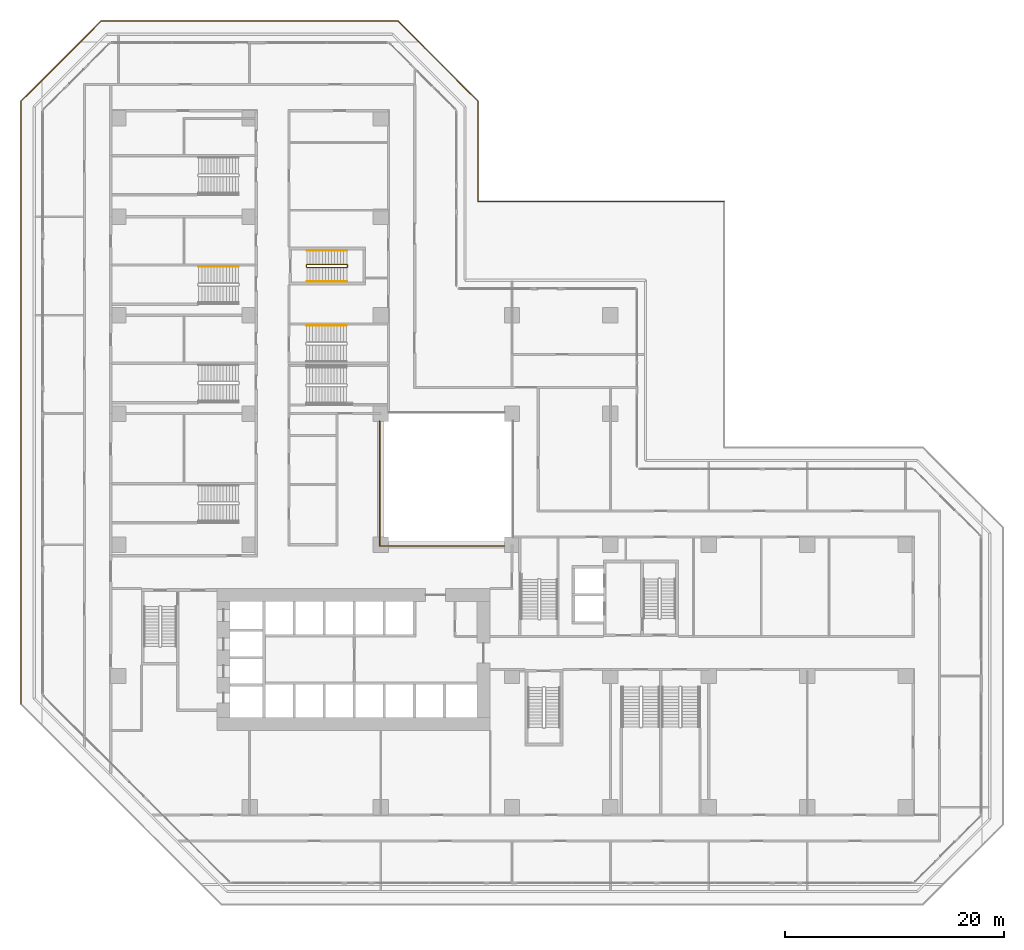
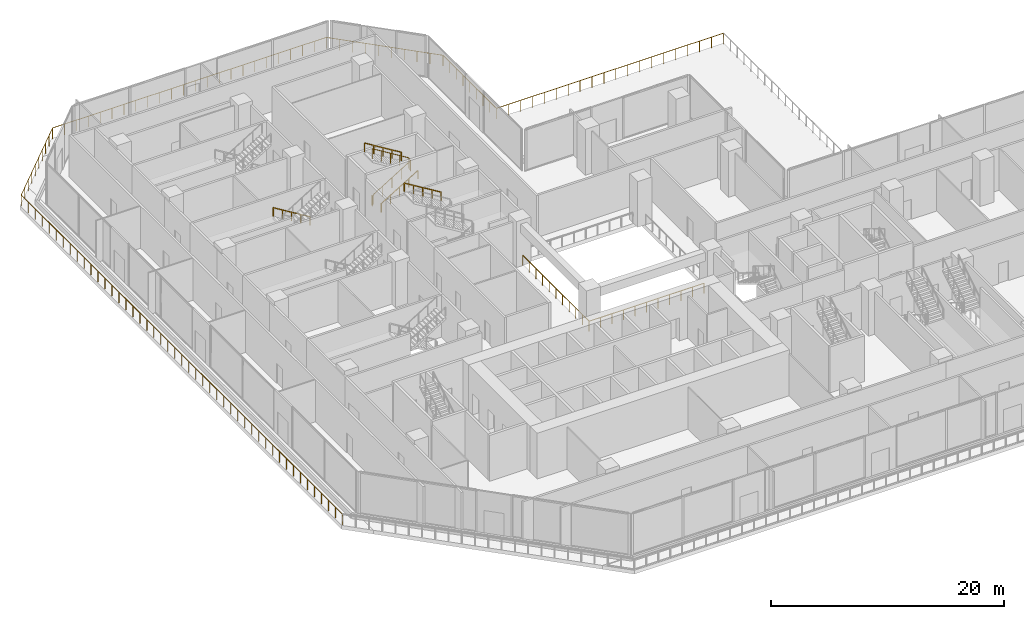
# One storey, part 24 of 25: 7 railings.
"""IFC4 building model written with IfcOpenShell, lengths in metres."""

from ifc_helpers import new_model, si_unit, direction, frame, origin, origin_2d, place, context, subcontext, project, spatial, rectangle, extrude, material, type_object, element, save


model = new_model("IFC4")

# Units and contexts
model_context = context("Model", 3, precision=1e-05, world=origin(), true_north=direction((0.0, 1.0)))
body_context = subcontext(model_context, "Body", "Model", "MODEL_VIEW")
ifc_project = project(units=[si_unit("LENGTHUNIT", "METRE"), si_unit("AREAUNIT", "SQUARE_METRE"), si_unit("VOLUMEUNIT", "CUBIC_METRE"), si_unit("PLANEANGLEUNIT", "RADIAN"), si_unit("MASSUNIT", "GRAM", prefix="KILO")], contexts=[model_context])

# Site, building, storey
site_placement = place(None, origin())
site = spatial("IfcSite", under=ifc_project, at=site_placement, CompositionType="ELEMENT")
building_placement = place(site_placement, origin())
building = spatial("IfcBuilding", under=site, at=building_placement, Name="Chenar Terraces", CompositionType="ELEMENT")
storey_placement = place(building_placement, frame((0.0, 0.0, 21.60009765625)))
storey = spatial("IfcBuildingStorey", under=building, at=storey_placement, Name="L04", CompositionType="ELEMENT", Elevation=21.60009765625)

# Railings
ifc_material_1 = material(Name="Powder-coated steel", Category="steel")
railing_type_1 = type_object("IfcRailingType", Name="Guard 1100 steel rail with glass infill", PredefinedType="GUARDRAIL", material=ifc_material_1)
railing_1_placement = place(storey_placement, frame((23.89990234375, 35.300048828125, 0.0)))
element("IfcRailing", 1, at=railing_1_placement, inside=storey, type_object=railing_type_1, Name="Guard L04-1", PredefinedType="GUARDRAIL", context=body_context, shape_type="SweptSolid", body=[
    extrude(rectangle(XDim=0.06005859375, YDim=0.06005859375, at=origin_2d()), frame((0.0, 0.0, 1.070068359375), z_axis=(0.0, -1.0, 0.0), x_axis=(1.0, 0.0, 0.0)), (0.0, 0.0, 1.0), 11.400146484375),
    extrude(rectangle(XDim=0.06005859375, YDim=0.06005859375, at=origin_2d()), frame((0.0, -11.400146484375, 1.070068359375), z_axis=(1.0, 0.0, 0.0), x_axis=(0.0, 1.0, 0.0)), (0.0, 0.0, 1.0), 11.400146484375),
    extrude(rectangle(XDim=0.050048828125, YDim=0.050048828125, at=origin_2d()), origin(), (0.0, 0.0, 1.0), 1.0400390625),
    extrude(rectangle(XDim=0.050048828125, YDim=0.050048828125, at=origin_2d()), frame((0.0, -1.14013671875, 0.0)), (0.0, 0.0, 1.0), 1.0400390625),
    extrude(rectangle(XDim=0.050048828125, YDim=0.050048828125, at=origin_2d()), frame((0.0, -2.280029296875, 0.0)), (0.0, 0.0, 1.0), 1.0400390625),
    extrude(rectangle(XDim=0.050048828125, YDim=0.050048828125, at=origin_2d()), frame((0.0, -3.419921875, 0.0)), (0.0, 0.0, 1.0), 1.0400390625),
    extrude(rectangle(XDim=0.050048828125, YDim=0.050048828125, at=origin_2d()), frame((0.0, -4.56005859375, 0.0)), (0.0, 0.0, 1.0), 1.0400390625),
    extrude(rectangle(XDim=0.050048828125, YDim=0.050048828125, at=origin_2d()), frame((0.0, -5.7001953125, 0.0)), (0.0, 0.0, 1.0), 1.0400390625),
    extrude(rectangle(XDim=0.050048828125, YDim=0.050048828125, at=origin_2d()), frame((0.0, -6.840087890625, 0.0)), (0.0, 0.0, 1.0), 1.0400390625),
    extrude(rectangle(XDim=0.050048828125, YDim=0.050048828125, at=origin_2d()), frame((0.0, -7.97998046875, 0.0)), (0.0, 0.0, 1.0), 1.0400390625),
    extrude(rectangle(XDim=0.050048828125, YDim=0.050048828125, at=origin_2d()), frame((0.0, -9.1201171875, 0.0)), (0.0, 0.0, 1.0), 1.0400390625),
    extrude(rectangle(XDim=0.050048828125, YDim=0.050048828125, at=origin_2d()), frame((0.0, -10.26025390625, 0.0)), (0.0, 0.0, 1.0), 1.0400390625),
    extrude(rectangle(XDim=0.050048828125, YDim=0.050048828125, at=origin_2d()), frame((0.0, -11.400146484375, 0.0)), (0.0, 0.0, 1.0), 1.0400390625),
    extrude(rectangle(XDim=0.050048828125, YDim=0.050048828125, at=origin_2d()), frame((1.14013671875, -11.400146484375, 0.0)), (0.0, 0.0, 1.0), 1.0400390625),
    extrude(rectangle(XDim=0.050048828125, YDim=0.050048828125, at=origin_2d()), frame((2.280029296875, -11.400146484375, 0.0)), (0.0, 0.0, 1.0), 1.0400390625),
    extrude(rectangle(XDim=0.050048828125, YDim=0.050048828125, at=origin_2d()), frame((3.419921875, -11.400146484375, 0.0)), (0.0, 0.0, 1.0), 1.0400390625),
    extrude(rectangle(XDim=0.050048828125, YDim=0.050048828125, at=origin_2d()), frame((4.56005859375, -11.400146484375, 0.0)), (0.0, 0.0, 1.0), 1.0400390625),
    extrude(rectangle(XDim=0.050048828125, YDim=0.050048828125, at=origin_2d()), frame((5.7001953125, -11.400146484375, 0.0)), (0.0, 0.0, 1.0), 1.0400390625),
    extrude(rectangle(XDim=0.050048828125, YDim=0.050048828125, at=origin_2d()), frame((6.840087890625, -11.400146484375, 0.0)), (0.0, 0.0, 1.0), 1.0400390625),
    extrude(rectangle(XDim=0.050048828125, YDim=0.050048828125, at=origin_2d()), frame((7.97998046875, -11.400146484375, 0.0)), (0.0, 0.0, 1.0), 1.0400390625),
    extrude(rectangle(XDim=0.050048828125, YDim=0.050048828125, at=origin_2d()), frame((9.1201171875, -11.400146484375, 0.0)), (0.0, 0.0, 1.0), 1.0400390625),
    extrude(rectangle(XDim=0.050048828125, YDim=0.050048828125, at=origin_2d()), frame((10.26025390625, -11.400146484375, 0.0)), (0.0, 0.0, 1.0), 1.0400390625),
    extrude(rectangle(XDim=0.050048828125, YDim=0.050048828125, at=origin_2d()), frame((11.400146484375, -11.400146484375, 0.0)), (0.0, 0.0, 1.0), 1.0400390625),
])
ifc_material_2 = material(Name="Powder-coated steel", Category="steel")
railing_type_2 = type_object("IfcRailingType", Name="Stair guard 1100", PredefinedType="GUARDRAIL", material=ifc_material_2)
railing_2_placement = place(storey_placement, frame((17.25, 49.625, 4.7998046875)))
element("IfcRailing", 2, at=railing_2_placement, inside=storey, type_object=railing_type_2, Name="L04 ST4 stair guard 1", PredefinedType="GUARDRAIL", context=body_context, shape_type="SweptSolid", body=[
    extrude(rectangle(XDim=0.048095703125, YDim=0.048095703125, at=origin_2d()), frame((0.0, 0.0, 1.076171875), z_axis=(0.852850264322, 0.0, -0.5221555579), x_axis=(0.0, 1.0, 0.0)), (0.0, 0.0, 1.0), 4.267822265625),
    extrude(rectangle(XDim=0.048095703125, YDim=0.048095703125, at=origin_2d()), frame((3.639892578125, 0.0, -1.15234375), z_axis=(0.269911200495, -0.269911200495, -0.924281281696), x_axis=(0.707106781187, 0.707106781187, 0.0)), (0.0, 0.0, 1.0), 0.185546875),
    extrude(rectangle(XDim=0.048095703125, YDim=0.048095703125, at=origin_2d()), frame((3.68994140625, -0.050048828125, -1.32373046875), z_axis=(0.0, -1.0, 0.0), x_axis=(1.0, 0.0, 0.0)), (0.0, 0.0, 1.0), 0.14990234375),
    extrude(rectangle(XDim=0.048095703125, YDim=0.048095703125, at=origin_2d()), frame((3.68994140625, -0.199951171875, -1.32373046875), z_axis=(-0.707106781187, -0.707106781187, 0.0), x_axis=(0.707106781187, -0.707106781187, 0.0)), (0.0, 0.0, 1.0), 0.07080078125),
    extrude(rectangle(XDim=0.048095703125, YDim=0.048095703125, at=origin_2d()), frame((3.639892578125, -0.25, -1.32373046875), z_axis=(-0.852850264322, 0.0, -0.5221555579), x_axis=(0.0, -1.0, 0.0)), (0.0, 0.0, 1.0), 4.267822265625),
    extrude(rectangle(XDim=0.048095703125, YDim=0.048095703125, at=origin_2d()), frame((0.0, -0.25, -3.55224609375), z_axis=(-0.269911200495, 0.269911200495, -0.924281281696), x_axis=(-0.707106781187, -0.707106781187, 0.0)), (0.0, 0.0, 1.0), 0.185546875),
    extrude(rectangle(XDim=0.048095703125, YDim=0.048095703125, at=origin_2d()), frame((-0.050048828125, -0.199951171875, -3.7236328125), z_axis=(0.0, 1.0, 0.0), x_axis=(-1.0, 0.0, 0.0)), (0.0, 0.0, 1.0), 0.14990234375),
    extrude(rectangle(XDim=0.0419921875, YDim=0.0419921875, at=origin_2d()), origin(), (0.0, 0.0, 1.0), 1.052001953125),
    extrude(rectangle(XDim=0.0419921875, YDim=0.0419921875, at=origin_2d()), frame((0.909912109375, 0.0, -0.55712890625)), (0.0, 0.0, 1.0), 1.052001953125),
    extrude(rectangle(XDim=0.0419921875, YDim=0.0419921875, at=origin_2d()), frame((1.81982421875, 0.0, -1.1142578125)), (0.0, 0.0, 1.0), 1.052001953125),
    extrude(rectangle(XDim=0.0419921875, YDim=0.0419921875, at=origin_2d()), frame((2.72998046875, 0.0, -1.67138671875)), (0.0, 0.0, 1.0), 1.052001953125),
    extrude(rectangle(XDim=0.0419921875, YDim=0.0419921875, at=origin_2d()), frame((3.639892578125, 0.0, -2.228515625)), (0.0, 0.0, 1.0), 1.052001953125),
    extrude(rectangle(XDim=0.0419921875, YDim=0.0419921875, at=origin_2d()), frame((3.68994140625, -0.050048828125, -2.39990234375)), (0.0, 0.0, 1.0), 1.052001953125),
    extrude(rectangle(XDim=0.0419921875, YDim=0.0419921875, at=origin_2d()), frame((3.68994140625, -0.199951171875, -2.39990234375)), (0.0, 0.0, 1.0), 1.052001953125),
    extrude(rectangle(XDim=0.0419921875, YDim=0.0419921875, at=origin_2d()), frame((3.639892578125, -0.25, -2.39990234375)), (0.0, 0.0, 1.0), 1.052001953125),
    extrude(rectangle(XDim=0.0419921875, YDim=0.0419921875, at=origin_2d()), frame((2.72998046875, -0.25, -2.95703125)), (0.0, 0.0, 1.0), 1.052001953125),
    extrude(rectangle(XDim=0.0419921875, YDim=0.0419921875, at=origin_2d()), frame((1.81982421875, -0.25, -3.51416015625)), (0.0, 0.0, 1.0), 1.052001953125),
    extrude(rectangle(XDim=0.0419921875, YDim=0.0419921875, at=origin_2d()), frame((0.909912109375, -0.25, -4.0712890625)), (0.0, 0.0, 1.0), 1.052001953125),
    extrude(rectangle(XDim=0.0419921875, YDim=0.0419921875, at=origin_2d()), frame((0.0, -0.25, -4.62841796875)), (0.0, 0.0, 1.0), 1.052001953125),
    extrude(rectangle(XDim=0.0419921875, YDim=0.0419921875, at=origin_2d()), frame((-0.050048828125, -0.199951171875, -4.7998046875)), (0.0, 0.0, 1.0), 1.052001953125),
    extrude(rectangle(XDim=0.0419921875, YDim=0.0419921875, at=origin_2d()), frame((-0.050048828125, -0.050048828125, -4.7998046875)), (0.0, 0.0, 1.0), 1.052001953125),
])
ifc_material_3 = material(Name="Powder-coated steel", Category="steel")
railing_type_3 = type_object("IfcRailingType", Name="Stair handrail 900", PredefinedType="HANDRAIL", material=ifc_material_3)
railing_3_placement = place(storey_placement, frame((17.25, 48.074951171875, 0.17138671875)))
element("IfcRailing", 3, at=railing_3_placement, inside=storey, type_object=railing_type_3, Name="L04 ST4 stair handrail 1", PredefinedType="HANDRAIL", context=body_context, shape_type="SweptSolid", body=[
    extrude(rectangle(XDim=0.048095703125, YDim=0.048095703125, at=origin_2d()), frame((0.0, 0.0, 0.8759765625), z_axis=(0.852850264322, 0.0, 0.5221555579), x_axis=(0.0, 1.0, 0.0)), (0.0, 0.0, 1.0), 4.267822265625),
    extrude(rectangle(XDim=0.0419921875, YDim=0.0419921875, at=origin_2d()), origin(), (0.0, 0.0, 1.0), 0.851806640625),
    extrude(rectangle(XDim=0.0419921875, YDim=0.0419921875, at=origin_2d()), frame((0.909912109375, 0.0, 0.55712890625)), (0.0, 0.0, 1.0), 0.851806640625),
    extrude(rectangle(XDim=0.0419921875, YDim=0.0419921875, at=origin_2d()), frame((1.81982421875, 0.0, 1.1142578125)), (0.0, 0.0, 1.0), 0.851806640625),
    extrude(rectangle(XDim=0.0419921875, YDim=0.0419921875, at=origin_2d()), frame((2.72998046875, 0.0, 1.67138671875)), (0.0, 0.0, 1.0), 0.851806640625),
    extrude(rectangle(XDim=0.0419921875, YDim=0.0419921875, at=origin_2d()), frame((3.639892578125, 0.0, 2.228515625)), (0.0, 0.0, 1.0), 0.851806640625),
])
railing_4_placement = place(storey_placement, frame((20.889892578125, 50.925048828125, 2.5712890625)))
element("IfcRailing", 4, at=railing_4_placement, inside=storey, type_object=railing_type_3, Name="L04 ST4 stair handrail 2", PredefinedType="HANDRAIL", context=body_context, shape_type="SweptSolid", body=[
    extrude(rectangle(XDim=0.048095703125, YDim=0.048095703125, at=origin_2d()), frame((0.0, 0.0, 0.8759765625), z_axis=(-0.852850264322, 0.0, 0.5221555579), x_axis=(0.0, -1.0, 0.0)), (0.0, 0.0, 1.0), 4.267822265625),
    extrude(rectangle(XDim=0.0419921875, YDim=0.0419921875, at=origin_2d()), origin(), (0.0, 0.0, 1.0), 0.851806640625),
    extrude(rectangle(XDim=0.0419921875, YDim=0.0419921875, at=origin_2d()), frame((-0.909912109375, 0.0, 0.55712890625)), (0.0, 0.0, 1.0), 0.851806640625),
    extrude(rectangle(XDim=0.0419921875, YDim=0.0419921875, at=origin_2d()), frame((-1.81982421875, 0.0, 1.1142578125)), (0.0, 0.0, 1.0), 0.851806640625),
    extrude(rectangle(XDim=0.0419921875, YDim=0.0419921875, at=origin_2d()), frame((-2.72998046875, 0.0, 1.67138671875)), (0.0, 0.0, 1.0), 0.851806640625),
    extrude(rectangle(XDim=0.0419921875, YDim=0.0419921875, at=origin_2d()), frame((-3.639892578125, 0.0, 2.228515625)), (0.0, 0.0, 1.0), 0.851806640625),
])
railing_5_placement = place(storey_placement, frame((10.985107421875, 49.43994140625, 0.17138671875)))
element("IfcRailing", 5, at=railing_5_placement, inside=storey, type_object=railing_type_3, Name="L04 PS4 stair handrail 1", PredefinedType="HANDRAIL", context=body_context, shape_type="SweptSolid", body=[
    extrude(rectangle(XDim=0.048095703125, YDim=0.048095703125, at=origin_2d()), frame((0.0, 0.0, 0.8759765625), z_axis=(-0.852865859571, 0.0, 0.52213008492), x_axis=(0.0, -1.0, 0.0)), (0.0, 0.0, 1.0), 4.26806640625),
    extrude(rectangle(XDim=0.0419921875, YDim=0.0419921875, at=origin_2d()), origin(), (0.0, 0.0, 1.0), 0.851806640625),
    extrude(rectangle(XDim=0.0419921875, YDim=0.0419921875, at=origin_2d()), frame((-0.91015625, 0.0, 0.55712890625)), (0.0, 0.0, 1.0), 0.851806640625),
    extrude(rectangle(XDim=0.0419921875, YDim=0.0419921875, at=origin_2d()), frame((-1.820068359375, 0.0, 1.1142578125)), (0.0, 0.0, 1.0), 0.851806640625),
    extrude(rectangle(XDim=0.0419921875, YDim=0.0419921875, at=origin_2d()), frame((-2.72998046875, 0.0, 1.67138671875)), (0.0, 0.0, 1.0), 0.851806640625),
    extrude(rectangle(XDim=0.0419921875, YDim=0.0419921875, at=origin_2d()), frame((-3.64013671875, 0.0, 2.228515625)), (0.0, 0.0, 1.0), 0.851806640625),
])
railing_6_placement = place(storey_placement, frame((20.85498046875, 44.0400390625, 2.5712890625)))
element("IfcRailing", 6, at=railing_6_placement, inside=storey, type_object=railing_type_3, Name="L04 PS8 stair handrail 2", PredefinedType="HANDRAIL", context=body_context, shape_type="SweptSolid", body=[
    extrude(rectangle(XDim=0.048095703125, YDim=0.048095703125, at=origin_2d()), frame((0.0, 0.0, 0.8759765625), z_axis=(-0.852850264322, 0.0, 0.5221555579), x_axis=(0.0, -1.0, 0.0)), (0.0, 0.0, 1.0), 4.267822265625),
    extrude(rectangle(XDim=0.0419921875, YDim=0.0419921875, at=origin_2d()), origin(), (0.0, 0.0, 1.0), 0.851806640625),
    extrude(rectangle(XDim=0.0419921875, YDim=0.0419921875, at=origin_2d()), frame((-0.909912109375, 0.0, 0.55712890625)), (0.0, 0.0, 1.0), 0.851806640625),
    extrude(rectangle(XDim=0.0419921875, YDim=0.0419921875, at=origin_2d()), frame((-1.81982421875, 0.0, 1.1142578125)), (0.0, 0.0, 1.0), 0.851806640625),
    extrude(rectangle(XDim=0.0419921875, YDim=0.0419921875, at=origin_2d()), frame((-2.72998046875, 0.0, 1.67138671875)), (0.0, 0.0, 1.0), 0.851806640625),
    extrude(rectangle(XDim=0.0419921875, YDim=0.0419921875, at=origin_2d()), frame((-3.639892578125, 0.0, 2.228515625)), (0.0, 0.0, 1.0), 0.851806640625),
])
ifc_material_4 = material(Name="Stainless steel and glass", Category="steel")
railing_type_4 = type_object("IfcRailingType", Name="Terrace guard 1150", PredefinedType="GUARDRAIL", material=ifc_material_4)
railing_7_placement = place(storey_placement, frame((-8.89990234375, 9.434814453125, 0.0)))
element("IfcRailing", 7, at=railing_7_placement, inside=storey, type_object=railing_type_4, Name="Terrace guard", PredefinedType="GUARDRAIL", context=body_context, shape_type="SweptSolid", body=[
    extrude(rectangle(XDim=0.048095703125, YDim=0.048095703125, at=origin_2d()), frame((0.0, 0.0, 1.1259765625), z_axis=(0.0, 1.0, 0.0), x_axis=(-1.0, 0.0, 0.0)), (0.0, 0.0, 1.0), 55.13037109375),
    extrude(rectangle(XDim=0.048095703125, YDim=0.048095703125, at=origin_2d()), frame((0.0, 55.13037109375, 1.1259765625), z_axis=(0.707106781187, 0.707106781187, 0.0), x_axis=(-0.707106781187, 0.707106781187, 0.0)), (0.0, 0.0, 1.0), 10.372802734375),
    extrude(rectangle(XDim=0.048095703125, YDim=0.048095703125, at=origin_2d()), frame((7.334716796875, 62.465087890625, 1.1259765625), z_axis=(1.0, 0.0, 0.0), x_axis=(0.0, 1.0, 0.0)), (0.0, 0.0, 1.0), 27.13037109375),
    extrude(rectangle(XDim=0.048095703125, YDim=0.048095703125, at=origin_2d()), frame((34.465087890625, 62.465087890625, 1.1259765625), z_axis=(0.707106781187, -0.707106781187, 0.0), x_axis=(0.707106781187, 0.707106781187, 0.0)), (0.0, 0.0, 1.0), 10.372802734375),
    extrude(rectangle(XDim=0.048095703125, YDim=0.048095703125, at=origin_2d()), frame((41.7998046875, 55.13037109375, 1.1259765625), z_axis=(0.0, -1.0, 0.0), x_axis=(1.0, 0.0, 0.0)), (0.0, 0.0, 1.0), 9.165283203125),
    extrude(rectangle(XDim=0.048095703125, YDim=0.048095703125, at=origin_2d()), frame((41.7998046875, 45.965087890625, 1.1259765625), z_axis=(1.0, 0.0, 0.0), x_axis=(0.0, 1.0, 0.0)), (0.0, 0.0, 1.0), 22.5),
    extrude(rectangle(XDim=0.0419921875, YDim=0.0419921875, at=origin_2d()), origin(), (0.0, 0.0, 1.0), 1.101806640625),
    extrude(rectangle(XDim=0.0419921875, YDim=0.0419921875, at=origin_2d()), frame((0.0, 1.198486328125, 0.0)), (0.0, 0.0, 1.0), 1.101806640625),
    extrude(rectangle(XDim=0.0419921875, YDim=0.0419921875, at=origin_2d()), frame((0.0, 2.39697265625, 0.0)), (0.0, 0.0, 1.0), 1.101806640625),
    extrude(rectangle(XDim=0.0419921875, YDim=0.0419921875, at=origin_2d()), frame((0.0, 3.595458984375, 0.0)), (0.0, 0.0, 1.0), 1.101806640625),
    extrude(rectangle(XDim=0.0419921875, YDim=0.0419921875, at=origin_2d()), frame((0.0, 4.7939453125, 0.0)), (0.0, 0.0, 1.0), 1.101806640625),
    extrude(rectangle(XDim=0.0419921875, YDim=0.0419921875, at=origin_2d()), frame((0.0, 5.992431640625, 0.0)), (0.0, 0.0, 1.0), 1.101806640625),
    extrude(rectangle(XDim=0.0419921875, YDim=0.0419921875, at=origin_2d()), frame((0.0, 7.19091796875, 0.0)), (0.0, 0.0, 1.0), 1.101806640625),
    extrude(rectangle(XDim=0.0419921875, YDim=0.0419921875, at=origin_2d()), frame((0.0, 8.389404296875, 0.0)), (0.0, 0.0, 1.0), 1.101806640625),
    extrude(rectangle(XDim=0.0419921875, YDim=0.0419921875, at=origin_2d()), frame((0.0, 9.587890625, 0.0)), (0.0, 0.0, 1.0), 1.101806640625),
    extrude(rectangle(XDim=0.0419921875, YDim=0.0419921875, at=origin_2d()), frame((0.0, 10.786376953125, 0.0)), (0.0, 0.0, 1.0), 1.101806640625),
    extrude(rectangle(XDim=0.0419921875, YDim=0.0419921875, at=origin_2d()), frame((0.0, 11.98486328125, 0.0)), (0.0, 0.0, 1.0), 1.101806640625),
    extrude(rectangle(XDim=0.0419921875, YDim=0.0419921875, at=origin_2d()), frame((0.0, 13.183349609375, 0.0)), (0.0, 0.0, 1.0), 1.101806640625),
    extrude(rectangle(XDim=0.0419921875, YDim=0.0419921875, at=origin_2d()), frame((0.0, 14.3818359375, 0.0)), (0.0, 0.0, 1.0), 1.101806640625),
    extrude(rectangle(XDim=0.0419921875, YDim=0.0419921875, at=origin_2d()), frame((0.0, 15.580322265625, 0.0)), (0.0, 0.0, 1.0), 1.101806640625),
    extrude(rectangle(XDim=0.0419921875, YDim=0.0419921875, at=origin_2d()), frame((0.0, 16.77880859375, 0.0)), (0.0, 0.0, 1.0), 1.101806640625),
    extrude(rectangle(XDim=0.0419921875, YDim=0.0419921875, at=origin_2d()), frame((0.0, 17.977294921875, 0.0)), (0.0, 0.0, 1.0), 1.101806640625),
    extrude(rectangle(XDim=0.0419921875, YDim=0.0419921875, at=origin_2d()), frame((0.0, 19.17578125, 0.0)), (0.0, 0.0, 1.0), 1.101806640625),
    extrude(rectangle(XDim=0.0419921875, YDim=0.0419921875, at=origin_2d()), frame((0.0, 20.374267578125, 0.0)), (0.0, 0.0, 1.0), 1.101806640625),
    extrude(rectangle(XDim=0.0419921875, YDim=0.0419921875, at=origin_2d()), frame((0.0, 21.57275390625, 0.0)), (0.0, 0.0, 1.0), 1.101806640625),
    extrude(rectangle(XDim=0.0419921875, YDim=0.0419921875, at=origin_2d()), frame((0.0, 22.771240234375, 0.0)), (0.0, 0.0, 1.0), 1.101806640625),
    extrude(rectangle(XDim=0.0419921875, YDim=0.0419921875, at=origin_2d()), frame((0.0, 23.9697265625, 0.0)), (0.0, 0.0, 1.0), 1.101806640625),
    extrude(rectangle(XDim=0.0419921875, YDim=0.0419921875, at=origin_2d()), frame((0.0, 25.168212890625, 0.0)), (0.0, 0.0, 1.0), 1.101806640625),
    extrude(rectangle(XDim=0.0419921875, YDim=0.0419921875, at=origin_2d()), frame((0.0, 26.36669921875, 0.0)), (0.0, 0.0, 1.0), 1.101806640625),
    extrude(rectangle(XDim=0.0419921875, YDim=0.0419921875, at=origin_2d()), frame((0.0, 27.565185546875, 0.0)), (0.0, 0.0, 1.0), 1.101806640625),
    extrude(rectangle(XDim=0.0419921875, YDim=0.0419921875, at=origin_2d()), frame((0.0, 28.763671875, 0.0)), (0.0, 0.0, 1.0), 1.101806640625),
    extrude(rectangle(XDim=0.0419921875, YDim=0.0419921875, at=origin_2d()), frame((0.0, 29.962158203125, 0.0)), (0.0, 0.0, 1.0), 1.101806640625),
    extrude(rectangle(XDim=0.0419921875, YDim=0.0419921875, at=origin_2d()), frame((0.0, 31.16064453125, 0.0)), (0.0, 0.0, 1.0), 1.101806640625),
    extrude(rectangle(XDim=0.0419921875, YDim=0.0419921875, at=origin_2d()), frame((0.0, 32.359130859375, 0.0)), (0.0, 0.0, 1.0), 1.101806640625),
    extrude(rectangle(XDim=0.0419921875, YDim=0.0419921875, at=origin_2d()), frame((0.0, 33.5576171875, 0.0)), (0.0, 0.0, 1.0), 1.101806640625),
    extrude(rectangle(XDim=0.0419921875, YDim=0.0419921875, at=origin_2d()), frame((0.0, 34.756103515625, 0.0)), (0.0, 0.0, 1.0), 1.101806640625),
    extrude(rectangle(XDim=0.0419921875, YDim=0.0419921875, at=origin_2d()), frame((0.0, 35.95458984375, 0.0)), (0.0, 0.0, 1.0), 1.101806640625),
    extrude(rectangle(XDim=0.0419921875, YDim=0.0419921875, at=origin_2d()), frame((0.0, 37.153076171875, 0.0)), (0.0, 0.0, 1.0), 1.101806640625),
    extrude(rectangle(XDim=0.0419921875, YDim=0.0419921875, at=origin_2d()), frame((0.0, 38.3515625, 0.0)), (0.0, 0.0, 1.0), 1.101806640625),
    extrude(rectangle(XDim=0.0419921875, YDim=0.0419921875, at=origin_2d()), frame((0.0, 39.550048828125, 0.0)), (0.0, 0.0, 1.0), 1.101806640625),
    extrude(rectangle(XDim=0.0419921875, YDim=0.0419921875, at=origin_2d()), frame((0.0, 40.74853515625, 0.0)), (0.0, 0.0, 1.0), 1.101806640625),
    extrude(rectangle(XDim=0.0419921875, YDim=0.0419921875, at=origin_2d()), frame((0.0, 41.947021484375, 0.0)), (0.0, 0.0, 1.0), 1.101806640625),
    extrude(rectangle(XDim=0.0419921875, YDim=0.0419921875, at=origin_2d()), frame((0.0, 43.1455078125, 0.0)), (0.0, 0.0, 1.0), 1.101806640625),
    extrude(rectangle(XDim=0.0419921875, YDim=0.0419921875, at=origin_2d()), frame((0.0, 44.343994140625, 0.0)), (0.0, 0.0, 1.0), 1.101806640625),
    extrude(rectangle(XDim=0.0419921875, YDim=0.0419921875, at=origin_2d()), frame((0.0, 45.54248046875, 0.0)), (0.0, 0.0, 1.0), 1.101806640625),
    extrude(rectangle(XDim=0.0419921875, YDim=0.0419921875, at=origin_2d()), frame((0.0, 46.740966796875, 0.0)), (0.0, 0.0, 1.0), 1.101806640625),
    extrude(rectangle(XDim=0.0419921875, YDim=0.0419921875, at=origin_2d()), frame((0.0, 47.939453125, 0.0)), (0.0, 0.0, 1.0), 1.101806640625),
    extrude(rectangle(XDim=0.0419921875, YDim=0.0419921875, at=origin_2d()), frame((0.0, 49.137939453125, 0.0)), (0.0, 0.0, 1.0), 1.101806640625),
    extrude(rectangle(XDim=0.0419921875, YDim=0.0419921875, at=origin_2d()), frame((0.0, 50.33642578125, 0.0)), (0.0, 0.0, 1.0), 1.101806640625),
    extrude(rectangle(XDim=0.0419921875, YDim=0.0419921875, at=origin_2d()), frame((0.0, 51.534912109375, 0.0)), (0.0, 0.0, 1.0), 1.101806640625),
    extrude(rectangle(XDim=0.0419921875, YDim=0.0419921875, at=origin_2d()), frame((0.0, 52.7333984375, 0.0)), (0.0, 0.0, 1.0), 1.101806640625),
    extrude(rectangle(XDim=0.0419921875, YDim=0.0419921875, at=origin_2d()), frame((0.0, 53.931884765625, 0.0)), (0.0, 0.0, 1.0), 1.101806640625),
    extrude(rectangle(XDim=0.0419921875, YDim=0.0419921875, at=origin_2d()), frame((0.0, 55.13037109375, 0.0)), (0.0, 0.0, 1.0), 1.101806640625),
    extrude(rectangle(XDim=0.0419921875, YDim=0.0419921875, at=origin_2d()), frame((0.81494140625, 55.9453125, 0.0)), (0.0, 0.0, 1.0), 1.101806640625),
    extrude(rectangle(XDim=0.0419921875, YDim=0.0419921875, at=origin_2d()), frame((1.6298828125, 56.76025390625, 0.0)), (0.0, 0.0, 1.0), 1.101806640625),
    extrude(rectangle(XDim=0.0419921875, YDim=0.0419921875, at=origin_2d()), frame((2.44482421875, 57.5751953125, 0.0)), (0.0, 0.0, 1.0), 1.101806640625),
    extrude(rectangle(XDim=0.0419921875, YDim=0.0419921875, at=origin_2d()), frame((3.259765625, 58.39013671875, 0.0)), (0.0, 0.0, 1.0), 1.101806640625),
    extrude(rectangle(XDim=0.0419921875, YDim=0.0419921875, at=origin_2d()), frame((4.074951171875, 59.205322265625, 0.0)), (0.0, 0.0, 1.0), 1.101806640625),
    extrude(rectangle(XDim=0.0419921875, YDim=0.0419921875, at=origin_2d()), frame((4.889892578125, 60.020263671875, 0.0)), (0.0, 0.0, 1.0), 1.101806640625),
    extrude(rectangle(XDim=0.0419921875, YDim=0.0419921875, at=origin_2d()), frame((5.704833984375, 60.835205078125, 0.0)), (0.0, 0.0, 1.0), 1.101806640625),
    extrude(rectangle(XDim=0.0419921875, YDim=0.0419921875, at=origin_2d()), frame((6.519775390625, 61.650146484375, 0.0)), (0.0, 0.0, 1.0), 1.101806640625),
    extrude(rectangle(XDim=0.0419921875, YDim=0.0419921875, at=origin_2d()), frame((7.334716796875, 62.465087890625, 0.0)), (0.0, 0.0, 1.0), 1.101806640625),
    extrude(rectangle(XDim=0.0419921875, YDim=0.0419921875, at=origin_2d()), frame((8.514404296875, 62.465087890625, 0.0)), (0.0, 0.0, 1.0), 1.101806640625),
    extrude(rectangle(XDim=0.0419921875, YDim=0.0419921875, at=origin_2d()), frame((9.69384765625, 62.465087890625, 0.0)), (0.0, 0.0, 1.0), 1.101806640625),
    extrude(rectangle(XDim=0.0419921875, YDim=0.0419921875, at=origin_2d()), frame((10.87353515625, 62.465087890625, 0.0)), (0.0, 0.0, 1.0), 1.101806640625),
    extrude(rectangle(XDim=0.0419921875, YDim=0.0419921875, at=origin_2d()), frame((12.052978515625, 62.465087890625, 0.0)), (0.0, 0.0, 1.0), 1.101806640625),
    extrude(rectangle(XDim=0.0419921875, YDim=0.0419921875, at=origin_2d()), frame((13.232666015625, 62.465087890625, 0.0)), (0.0, 0.0, 1.0), 1.101806640625),
    extrude(rectangle(XDim=0.0419921875, YDim=0.0419921875, at=origin_2d()), frame((14.412109375, 62.465087890625, 0.0)), (0.0, 0.0, 1.0), 1.101806640625),
    extrude(rectangle(XDim=0.0419921875, YDim=0.0419921875, at=origin_2d()), frame((15.591796875, 62.465087890625, 0.0)), (0.0, 0.0, 1.0), 1.101806640625),
    extrude(rectangle(XDim=0.0419921875, YDim=0.0419921875, at=origin_2d()), frame((16.771484375, 62.465087890625, 0.0)), (0.0, 0.0, 1.0), 1.101806640625),
    extrude(rectangle(XDim=0.0419921875, YDim=0.0419921875, at=origin_2d()), frame((17.950927734375, 62.465087890625, 0.0)), (0.0, 0.0, 1.0), 1.101806640625),
    extrude(rectangle(XDim=0.0419921875, YDim=0.0419921875, at=origin_2d()), frame((19.130615234375, 62.465087890625, 0.0)), (0.0, 0.0, 1.0), 1.101806640625),
    extrude(rectangle(XDim=0.0419921875, YDim=0.0419921875, at=origin_2d()), frame((20.31005859375, 62.465087890625, 0.0)), (0.0, 0.0, 1.0), 1.101806640625),
    extrude(rectangle(XDim=0.0419921875, YDim=0.0419921875, at=origin_2d()), frame((21.48974609375, 62.465087890625, 0.0)), (0.0, 0.0, 1.0), 1.101806640625),
    extrude(rectangle(XDim=0.0419921875, YDim=0.0419921875, at=origin_2d()), frame((22.669189453125, 62.465087890625, 0.0)), (0.0, 0.0, 1.0), 1.101806640625),
    extrude(rectangle(XDim=0.0419921875, YDim=0.0419921875, at=origin_2d()), frame((23.848876953125, 62.465087890625, 0.0)), (0.0, 0.0, 1.0), 1.101806640625),
    extrude(rectangle(XDim=0.0419921875, YDim=0.0419921875, at=origin_2d()), frame((25.0283203125, 62.465087890625, 0.0)), (0.0, 0.0, 1.0), 1.101806640625),
    extrude(rectangle(XDim=0.0419921875, YDim=0.0419921875, at=origin_2d()), frame((26.2080078125, 62.465087890625, 0.0)), (0.0, 0.0, 1.0), 1.101806640625),
    extrude(rectangle(XDim=0.0419921875, YDim=0.0419921875, at=origin_2d()), frame((27.3876953125, 62.465087890625, 0.0)), (0.0, 0.0, 1.0), 1.101806640625),
    extrude(rectangle(XDim=0.0419921875, YDim=0.0419921875, at=origin_2d()), frame((28.567138671875, 62.465087890625, 0.0)), (0.0, 0.0, 1.0), 1.101806640625),
    extrude(rectangle(XDim=0.0419921875, YDim=0.0419921875, at=origin_2d()), frame((29.746826171875, 62.465087890625, 0.0)), (0.0, 0.0, 1.0), 1.101806640625),
    extrude(rectangle(XDim=0.0419921875, YDim=0.0419921875, at=origin_2d()), frame((30.92626953125, 62.465087890625, 0.0)), (0.0, 0.0, 1.0), 1.101806640625),
    extrude(rectangle(XDim=0.0419921875, YDim=0.0419921875, at=origin_2d()), frame((32.10595703125, 62.465087890625, 0.0)), (0.0, 0.0, 1.0), 1.101806640625),
    extrude(rectangle(XDim=0.0419921875, YDim=0.0419921875, at=origin_2d()), frame((33.285400390625, 62.465087890625, 0.0)), (0.0, 0.0, 1.0), 1.101806640625),
    extrude(rectangle(XDim=0.0419921875, YDim=0.0419921875, at=origin_2d()), frame((34.465087890625, 62.465087890625, 0.0)), (0.0, 0.0, 1.0), 1.101806640625),
    extrude(rectangle(XDim=0.0419921875, YDim=0.0419921875, at=origin_2d()), frame((35.280029296875, 61.650146484375, 0.0)), (0.0, 0.0, 1.0), 1.101806640625),
    extrude(rectangle(XDim=0.0419921875, YDim=0.0419921875, at=origin_2d()), frame((36.094970703125, 60.835205078125, 0.0)), (0.0, 0.0, 1.0), 1.101806640625),
    extrude(rectangle(XDim=0.0419921875, YDim=0.0419921875, at=origin_2d()), frame((36.909912109375, 60.020263671875, 0.0)), (0.0, 0.0, 1.0), 1.101806640625),
    extrude(rectangle(XDim=0.0419921875, YDim=0.0419921875, at=origin_2d()), frame((37.724853515625, 59.205322265625, 0.0)), (0.0, 0.0, 1.0), 1.101806640625),
    extrude(rectangle(XDim=0.0419921875, YDim=0.0419921875, at=origin_2d()), frame((38.5400390625, 58.39013671875, 0.0)), (0.0, 0.0, 1.0), 1.101806640625),
    extrude(rectangle(XDim=0.0419921875, YDim=0.0419921875, at=origin_2d()), frame((39.35498046875, 57.5751953125, 0.0)), (0.0, 0.0, 1.0), 1.101806640625),
    extrude(rectangle(XDim=0.0419921875, YDim=0.0419921875, at=origin_2d()), frame((40.169921875, 56.76025390625, 0.0)), (0.0, 0.0, 1.0), 1.101806640625),
    extrude(rectangle(XDim=0.0419921875, YDim=0.0419921875, at=origin_2d()), frame((40.98486328125, 55.9453125, 0.0)), (0.0, 0.0, 1.0), 1.101806640625),
    extrude(rectangle(XDim=0.0419921875, YDim=0.0419921875, at=origin_2d()), frame((41.7998046875, 55.13037109375, 0.0)), (0.0, 0.0, 1.0), 1.101806640625),
    extrude(rectangle(XDim=0.0419921875, YDim=0.0419921875, at=origin_2d()), frame((41.7998046875, 53.984619140625, 0.0)), (0.0, 0.0, 1.0), 1.101806640625),
    extrude(rectangle(XDim=0.0419921875, YDim=0.0419921875, at=origin_2d()), frame((41.7998046875, 52.839111328125, 0.0)), (0.0, 0.0, 1.0), 1.101806640625),
    extrude(rectangle(XDim=0.0419921875, YDim=0.0419921875, at=origin_2d()), frame((41.7998046875, 51.693359375, 0.0)), (0.0, 0.0, 1.0), 1.101806640625),
    extrude(rectangle(XDim=0.0419921875, YDim=0.0419921875, at=origin_2d()), frame((41.7998046875, 50.5478515625, 0.0)), (0.0, 0.0, 1.0), 1.101806640625),
    extrude(rectangle(XDim=0.0419921875, YDim=0.0419921875, at=origin_2d()), frame((41.7998046875, 49.402099609375, 0.0)), (0.0, 0.0, 1.0), 1.101806640625),
    extrude(rectangle(XDim=0.0419921875, YDim=0.0419921875, at=origin_2d()), frame((41.7998046875, 48.25634765625, 0.0)), (0.0, 0.0, 1.0), 1.101806640625),
    extrude(rectangle(XDim=0.0419921875, YDim=0.0419921875, at=origin_2d()), frame((41.7998046875, 47.11083984375, 0.0)), (0.0, 0.0, 1.0), 1.101806640625),
    extrude(rectangle(XDim=0.0419921875, YDim=0.0419921875, at=origin_2d()), frame((41.7998046875, 45.965087890625, 0.0)), (0.0, 0.0, 1.0), 1.101806640625),
    extrude(rectangle(XDim=0.0419921875, YDim=0.0419921875, at=origin_2d()), frame((42.984130859375, 45.965087890625, 0.0)), (0.0, 0.0, 1.0), 1.101806640625),
    extrude(rectangle(XDim=0.0419921875, YDim=0.0419921875, at=origin_2d()), frame((44.168212890625, 45.965087890625, 0.0)), (0.0, 0.0, 1.0), 1.101806640625),
    extrude(rectangle(XDim=0.0419921875, YDim=0.0419921875, at=origin_2d()), frame((45.3525390625, 45.965087890625, 0.0)), (0.0, 0.0, 1.0), 1.101806640625),
    extrude(rectangle(XDim=0.0419921875, YDim=0.0419921875, at=origin_2d()), frame((46.53662109375, 45.965087890625, 0.0)), (0.0, 0.0, 1.0), 1.101806640625),
    extrude(rectangle(XDim=0.0419921875, YDim=0.0419921875, at=origin_2d()), frame((47.720947265625, 45.965087890625, 0.0)), (0.0, 0.0, 1.0), 1.101806640625),
    extrude(rectangle(XDim=0.0419921875, YDim=0.0419921875, at=origin_2d()), frame((48.905029296875, 45.965087890625, 0.0)), (0.0, 0.0, 1.0), 1.101806640625),
    extrude(rectangle(XDim=0.0419921875, YDim=0.0419921875, at=origin_2d()), frame((50.08935546875, 45.965087890625, 0.0)), (0.0, 0.0, 1.0), 1.101806640625),
    extrude(rectangle(XDim=0.0419921875, YDim=0.0419921875, at=origin_2d()), frame((51.2734375, 45.965087890625, 0.0)), (0.0, 0.0, 1.0), 1.101806640625),
    extrude(rectangle(XDim=0.0419921875, YDim=0.0419921875, at=origin_2d()), frame((52.457763671875, 45.965087890625, 0.0)), (0.0, 0.0, 1.0), 1.101806640625),
    extrude(rectangle(XDim=0.0419921875, YDim=0.0419921875, at=origin_2d()), frame((53.641845703125, 45.965087890625, 0.0)), (0.0, 0.0, 1.0), 1.101806640625),
    extrude(rectangle(XDim=0.0419921875, YDim=0.0419921875, at=origin_2d()), frame((54.826171875, 45.965087890625, 0.0)), (0.0, 0.0, 1.0), 1.101806640625),
    extrude(rectangle(XDim=0.0419921875, YDim=0.0419921875, at=origin_2d()), frame((56.01025390625, 45.965087890625, 0.0)), (0.0, 0.0, 1.0), 1.101806640625),
    extrude(rectangle(XDim=0.0419921875, YDim=0.0419921875, at=origin_2d()), frame((57.194580078125, 45.965087890625, 0.0)), (0.0, 0.0, 1.0), 1.101806640625),
    extrude(rectangle(XDim=0.0419921875, YDim=0.0419921875, at=origin_2d()), frame((58.378662109375, 45.965087890625, 0.0)), (0.0, 0.0, 1.0), 1.101806640625),
    extrude(rectangle(XDim=0.0419921875, YDim=0.0419921875, at=origin_2d()), frame((59.56298828125, 45.965087890625, 0.0)), (0.0, 0.0, 1.0), 1.101806640625),
    extrude(rectangle(XDim=0.0419921875, YDim=0.0419921875, at=origin_2d()), frame((60.7470703125, 45.965087890625, 0.0)), (0.0, 0.0, 1.0), 1.101806640625),
    extrude(rectangle(XDim=0.0419921875, YDim=0.0419921875, at=origin_2d()), frame((61.931396484375, 45.965087890625, 0.0)), (0.0, 0.0, 1.0), 1.101806640625),
    extrude(rectangle(XDim=0.0419921875, YDim=0.0419921875, at=origin_2d()), frame((63.115478515625, 45.965087890625, 0.0)), (0.0, 0.0, 1.0), 1.101806640625),
    extrude(rectangle(XDim=0.0419921875, YDim=0.0419921875, at=origin_2d()), frame((64.2998046875, 45.965087890625, 0.0)), (0.0, 0.0, 1.0), 1.101806640625),
])

save(model, "model.ifc")
